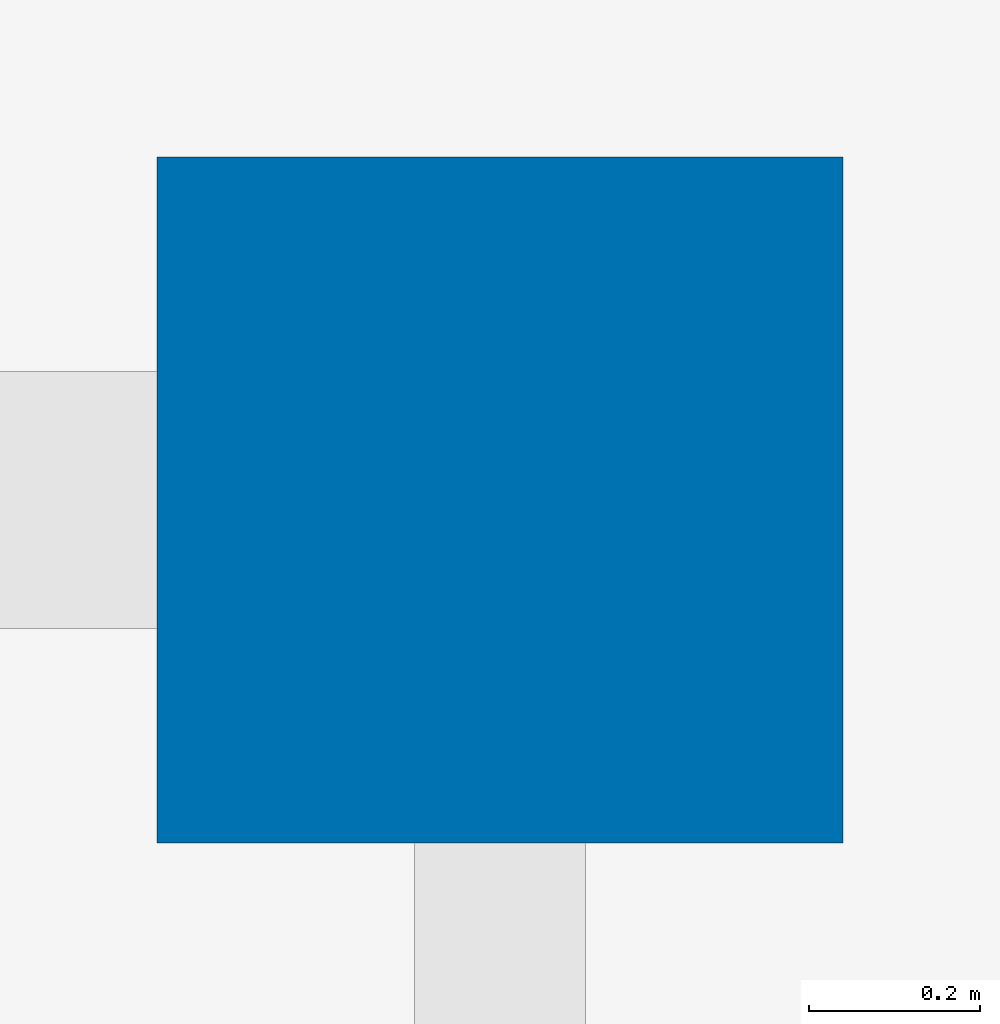
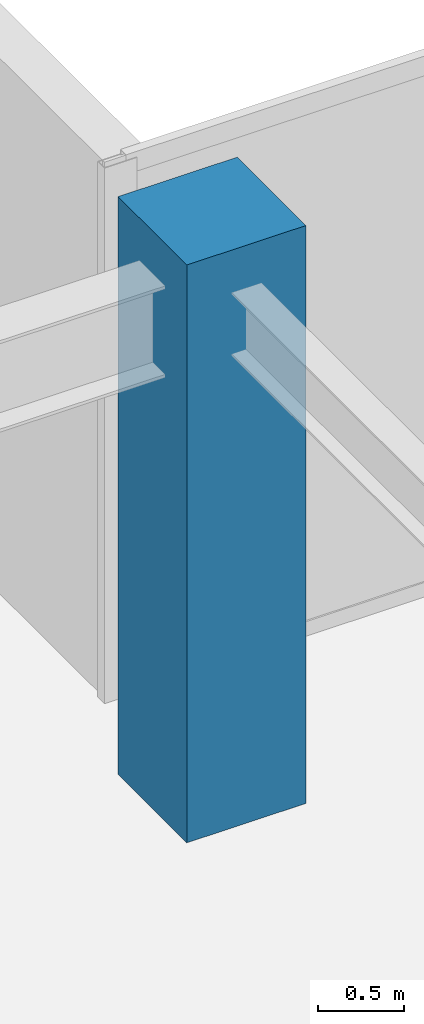
# One storey, part 4 of 33: 1 column.
"""IFC4 building model written with IfcOpenShell, lengths in metres."""

from ifc_helpers import new_model, si_unit, direction, frame, origin, origin_2d, place, context, subcontext, project, spatial, rectangle, extrude, source, transform, mapped, material, material_profile, profile_set, type_object, type_shapes, element, save


model = new_model("IFC4")

# Units and contexts
model_context = context("Model", 3, precision=1e-05, world=origin(), true_north=direction((0.0, 1.0)))
body_context = subcontext(model_context, "Body", "Model", "MODEL_VIEW")
ifc_project = project(units=[si_unit("LENGTHUNIT", "METRE"), si_unit("AREAUNIT", "SQUARE_METRE"), si_unit("VOLUMEUNIT", "CUBIC_METRE"), si_unit("PLANEANGLEUNIT", "RADIAN"), si_unit("MASSUNIT", "GRAM", prefix="KILO")], contexts=[model_context])

# Site, building, storey
site_placement = place(None, origin())
site = spatial("IfcSite", under=ifc_project, at=site_placement, CompositionType="ELEMENT")
building_placement = place(site_placement, origin())
building = spatial("IfcBuilding", under=site, at=building_placement, Name="Haelvirn Gate Laboratories", CompositionType="ELEMENT")
storey_placement = place(building_placement, frame((0.0, 0.0, 287.5)))
storey = spatial("IfcBuildingStorey", under=building, at=storey_placement, Name="L69", CompositionType="ELEMENT", Elevation=287.5)

# Column
ifc_material = material(Name="Concrete C50/60", Category="concrete")
ifc_material_profile = material_profile(ifc_material, rectangle(XDim=0.800048828125, YDim=0.800048828125, at=origin_2d()), Name="RC-800x800")
ifc_profile_set = profile_set([ifc_material_profile], Name="Concrete C50/60")
column_type = type_object("IfcColumnType", Name="COL-RC-800", PredefinedType="COLUMN", material=ifc_profile_set)
shared_shape = source(origin(), body_context, "Body", "SweptSolid", [
    extrude(rectangle(XDim=0.800048828125, YDim=0.800048828125, at=origin_2d()), origin(), (0.0, 0.0, 1.0), 4.10009765625),
])
type_shapes(column_type, [shared_shape])
column_placement = place(storey_placement, frame((67.39990234375, 41.60009765625, 0.0), z_axis=(0.0, 0.0, 1.0), x_axis=(1.0, 0.0, 0.0)))
element("IfcColumn", 1, at=column_placement, inside=storey, type_object=column_type, Name="L69 Column 10G", PredefinedType="COLUMN", context=body_context, shape_type="MappedRepresentation", body=[
    mapped(shared_shape, transform((0.0, 0.0, 0.0), scale=1.0)),
])

save(model, "model.ifc")
